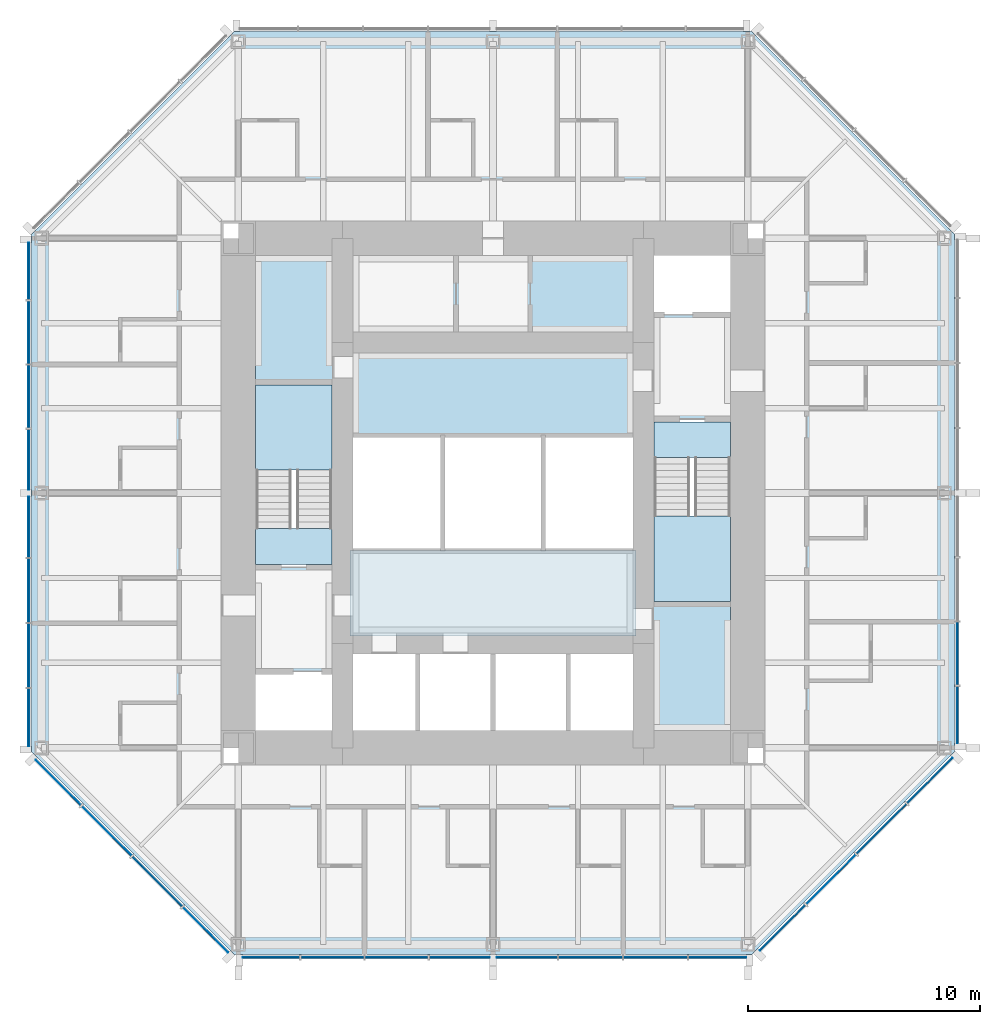
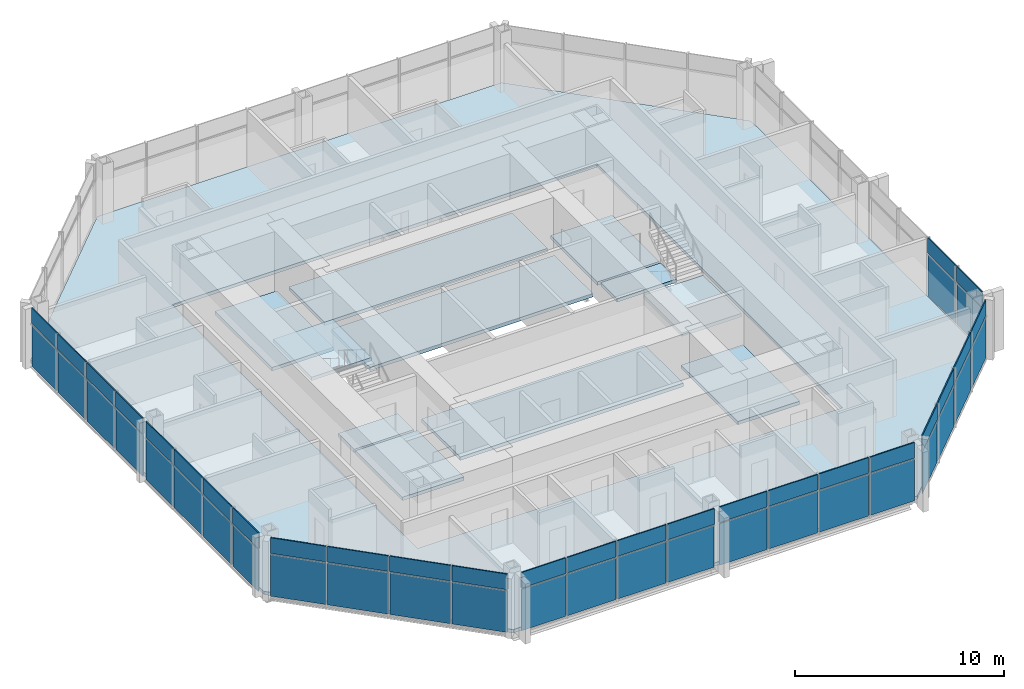
# One storey, part 6 of 12: 52 plates, 12 slabs, 7 elements without a shape of their own.
"""IFC4 building model written with IfcOpenShell, lengths in metres."""

import ifcopenshell
import ifcopenshell.guid

model = None  # the IFC model being written
_history = None  # IfcOwnerHistory: only IFC2X3 demands one
_inside = {}  # id of a spatial element -> (the spatial element, [elements in it])
_under = {}  # id of a project, library or spatial element -> (it, [spatial elements below it])
_declared = {}  # id of a project -> (the project, [libraries it declares])
_typed = {}  # id of a type object -> (the type object, [elements of that type])
_made_of = {}  # id of a material, layer set ... -> (it, [elements and type objects made of it])


def new_model(schema):
    """Start an empty IFC model of exactly this schema.

    Asked for "IFC4X3", IfcOpenShell would pick the latest addendum, in which some entities
    have other attributes; the version numbers below select the first issue.
    IFC2X3 requires an IfcOwnerHistory on every rooted entity: one is made here for all.
    """
    global model, _history
    if schema == "IFC4X3":
        model = ifcopenshell.file(schema_version=(4, 3, 0, 0))
    else:
        model = ifcopenshell.file(schema=schema)
    _inside.clear()
    _under.clear()
    _declared.clear()
    _typed.clear()
    _made_of.clear()
    _history = None
    if model.schema == "IFC2X3":
        org = make("IfcOrganization", Name="unknown")
        user = make(
            "IfcPersonAndOrganization",
            ThePerson=make("IfcPerson", FamilyName="unknown"),
            TheOrganization=org,
        )
        app = make(
            "IfcApplication",
            ApplicationDeveloper=org,
            Version="unknown",
            ApplicationFullName="unknown",
            ApplicationIdentifier="unknown",
        )
        _history = make(
            "IfcOwnerHistory",
            OwningUser=user,
            OwningApplication=app,
            ChangeAction="ADDED",
            CreationDate=0,
        )
    return model


def make(cls, **values):
    """One entity of the class cls with the attributes given. An attribute that is None is left unset."""
    return model.create_entity(
        cls, **{name: value for name, value in values.items() if value is not None}
    )


def rooted(cls, **values):
    """An entity with a GlobalId (a new one), such as an element, a storey or a relation."""
    return make(cls, GlobalId=ifcopenshell.guid.new(), OwnerHistory=_history, **values)


def si_unit(unit_type, name, prefix=None):
    """IfcSIUnit, for example si_unit("LENGTHUNIT", "METRE", prefix="MILLI")."""
    return make("IfcSIUnit", UnitType=unit_type, Prefix=prefix, Name=name)


def assignment(units):
    """IfcUnitAssignment: the units of a project."""
    return None if units is None else make("IfcUnitAssignment", Units=units)


def point(xyz):
    """IfcCartesianPoint."""
    return None if xyz is None else make("IfcCartesianPoint", Coordinates=xyz)


def direction(xyz):
    """IfcDirection."""
    return None if xyz is None else make("IfcDirection", DirectionRatios=xyz)


def frame(location, z_axis=None, x_axis=None):
    """IfcAxis2Placement3D, a coordinate frame: its origin and axes. An axis left out is left unset."""
    return make(
        "IfcAxis2Placement3D",
        Location=point(location),
        Axis=direction(z_axis),
        RefDirection=direction(x_axis),
    )


def frame_2d(location, x_axis=None):
    """IfcAxis2Placement2D, a coordinate frame in the plane: its origin and x axis."""
    return make(
        "IfcAxis2Placement2D", Location=point(location), RefDirection=direction(x_axis)
    )


def origin():
    """The frame at (0, 0, 0) with its axes left unset."""
    return frame((0.0, 0.0, 0.0))


def origin_2d():
    """The frame at (0, 0) in the plane with its x axis left unset."""
    return frame_2d((0.0, 0.0))


def place(relative_to, where):
    """IfcLocalPlacement: puts the frame where relative to a parent placement (None: the world)."""
    return make(
        "IfcLocalPlacement", PlacementRelTo=relative_to, RelativePlacement=where
    )


def context(
    kind, dimensions, precision=None, world=None, true_north=None, identifier=None
):
    """IfcGeometricRepresentationContext, for example the 3D "Model" context."""
    return make(
        "IfcGeometricRepresentationContext",
        ContextIdentifier=identifier,
        ContextType=kind,
        CoordinateSpaceDimension=dimensions,
        Precision=precision,
        WorldCoordinateSystem=world,
        TrueNorth=true_north,
    )


def subcontext(parent, identifier, kind, view, scale=None):
    """IfcGeometricRepresentationSubContext, for example "Body" below "Model"."""
    return make(
        "IfcGeometricRepresentationSubContext",
        ContextIdentifier=identifier,
        ContextType=kind,
        ParentContext=parent,
        TargetScale=scale,
        TargetView=view,
    )


def project(units=None, contexts=None):
    """IfcProject with its units and contexts."""
    return rooted(
        "IfcProject",
        Name="project",
        RepresentationContexts=contexts,
        UnitsInContext=assignment(units),
    )


def spatial(cls, under=None, at=None, **own):
    """A site, building, storey or space (cls), placed at a placement, below another one or the project."""
    s = rooted(cls, ObjectPlacement=at, **own)
    if under is not None:
        _under.setdefault(under.id(), (under, []))[1].append(s)
    return s


def polyline(points):
    """IfcPolyline through the points."""
    return make("IfcPolyline", Points=[point(p) for p in points])


def profile(cls, at=None, kind="AREA", **sizes):
    """A parametric profile (cls). Its sizes go by their IFC names, for example OverallWidth=200.0."""
    return make(cls, ProfileType=kind, Position=at, **sizes)


def rectangle(**sizes):
    """IfcRectangleProfileDef."""
    return profile("IfcRectangleProfileDef", **sizes)


def outline(outer, holes=None, kind="AREA"):
    """IfcArbitraryClosedProfileDef: a profile drawn as a closed curve; with holes, ...WithVoids."""
    if holes is None:
        return make("IfcArbitraryClosedProfileDef", ProfileType=kind, OuterCurve=outer)
    return make(
        "IfcArbitraryProfileDefWithVoids",
        ProfileType=kind,
        OuterCurve=outer,
        InnerCurves=holes,
    )


def extrude(swept, where, along, depth):
    """IfcExtrudedAreaSolid: the profile swept, set in the frame where, extruded along a direction by depth."""
    return make(
        "IfcExtrudedAreaSolid",
        SweptArea=swept,
        Position=where,
        ExtrudedDirection=direction(along),
        Depth=depth,
    )


def shape(context_of_items, identifier, shape_type, items):
    """IfcShapeRepresentation: the items that make up one representation, for example the "Body"."""
    return make(
        "IfcShapeRepresentation",
        ContextOfItems=context_of_items,
        RepresentationIdentifier=identifier,
        RepresentationType=shape_type,
        Items=items,
    )


def material(Name=None, Category=None):
    """IfcMaterial."""
    return make("IfcMaterial", Name=Name, Category=Category)


def layer(
    of_material, thickness, ventilated=None, Name=None, Category=None, Priority=None
):
    """IfcMaterialLayer: one layer of a wall or slab, of a material (None: an air gap)."""
    return make(
        "IfcMaterialLayer",
        Material=of_material,
        LayerThickness=thickness,
        IsVentilated=ventilated,
        Name=Name,
        Category=Category,
        Priority=Priority,
    )


def layer_set(layers, Name=None):
    """IfcMaterialLayerSet."""
    return make("IfcMaterialLayerSet", MaterialLayers=layers, LayerSetName=Name)


def made_of(thing, what):
    """Note that an element or type object is made of a material, layer set ...; save() writes the relation."""
    if what is not None:
        _made_of.setdefault(what.id(), (what, []))[1].append(thing)
    return thing


def type_object(cls, material=None, **own):
    """A type object (cls), such as IfcWallType, which elements share."""
    return made_of(rooted(cls, **own), material)


def element(
    cls,
    number,
    at=None,
    inside=None,
    cuts=None,
    type_object=None,
    material=None,
    context=None,
    identifier="Body",
    shape_type=None,
    held_by="IfcProductDefinitionShape",
    body=None,
    shapes=None,
    **own,
):
    """One element of the class cls, such as IfcWall. Its Tag is "e" and its number.

    at: its placement. inside: the storey or other place that contains it. cuts: it is an
    opening in that element (IfcRelVoidsElement). A single representation is given by context,
    identifier, shape_type and body (its items); several are given by shapes. held_by: the class
    of the entity that holds the representations. save() writes the other relations.
    """
    e = rooted(cls, Tag="e%d" % number, ObjectPlacement=at, **own)
    if body is not None:
        shapes = [shape(context, identifier, shape_type, body)]
    if shapes is not None:
        e.Representation = make(held_by, Representations=shapes)
    if inside is not None:
        _inside.setdefault(inside.id(), (inside, []))[1].append(e)
    if cuts is not None:
        rooted(
            "IfcRelVoidsElement", RelatingBuildingElement=cuts, RelatedOpeningElement=e
        )
    if type_object is not None:
        _typed.setdefault(type_object.id(), (type_object, []))[1].append(e)
    return made_of(e, material)


def aggregate(whole, parts):
    """IfcRelAggregates: a whole, such as a stair, and the parts it consists of."""
    return rooted("IfcRelAggregates", RelatingObject=whole, RelatedObjects=parts)


def save(model, path):
    """Write the relations noted so far, then the file.

    IfcRelAggregates (storeys below a building ...), IfcRelContainedInSpatialStructure (elements
    in a storey), IfcRelDefinesByType, IfcRelAssociatesMaterial and IfcRelDeclares: one each for
    every whole, place, type object, material and project.
    """
    for whole, parts in _under.values():
        aggregate(whole, parts)
    for where, things in _inside.values():
        rooted(
            "IfcRelContainedInSpatialStructure",
            RelatedElements=things,
            RelatingStructure=where,
        )
    for kind, things in _typed.values():
        rooted("IfcRelDefinesByType", RelatedObjects=things, RelatingType=kind)
    for what, things in _made_of.values():
        rooted("IfcRelAssociatesMaterial", RelatedObjects=things, RelatingMaterial=what)
    for by, libraries in _declared.values():
        rooted("IfcRelDeclares", RelatingContext=by, RelatedDefinitions=libraries)
    model.write(path)


model = new_model("IFC4")

# Units and contexts
model_context = context("Model", 3, precision=1e-05, world=origin(), true_north=direction((0.0, 1.0)))
body_context = subcontext(model_context, "Body", "Model", "MODEL_VIEW")
ifc_project = project(units=[si_unit("LENGTHUNIT", "METRE"), si_unit("AREAUNIT", "SQUARE_METRE"), si_unit("VOLUMEUNIT", "CUBIC_METRE"), si_unit("PLANEANGLEUNIT", "RADIAN"), si_unit("MASSUNIT", "GRAM", prefix="KILO")], contexts=[model_context])

# Site, building, storey
site_placement = place(None, origin())
site = spatial("IfcSite", under=ifc_project, at=site_placement, CompositionType="ELEMENT")
building_placement = place(site_placement, origin())
building = spatial("IfcBuilding", under=site, at=building_placement, Name="Trevanion Tower", CompositionType="ELEMENT")
storey_placement = place(building_placement, frame((0.0, 0.0, 208.199951171875)))
storey = spatial("IfcBuildingStorey", under=building, at=storey_placement, Name="L49", CompositionType="ELEMENT", Elevation=208.199951171875)

# Curtain wall, plates
ifc_material_1 = material(Name="Aluminium and glass", Category="aluminium")
curtain_wall_type = type_object("IfcCurtainWallType", Name="CW3 curtain wall", PredefinedType="USERDEFINED", material=ifc_material_1)
curtain_wall_1_placement = place(storey_placement, origin())
curtain_wall_1 = element("IfcCurtainWall", 1, at=curtain_wall_1_placement, inside=storey, type_object=curtain_wall_type, Name="CW3 L49 0", ObjectType="UNITISED CURTAIN WALL", PredefinedType="USERDEFINED")
ifc_material_2 = material(Name="Aluminium spandrel panel", Category="aluminium")
ifc_layer_1 = layer(ifc_material_2, 0.06005859375)
ifc_layer_set_1 = layer_set([ifc_layer_1], Name="CW3 spandrel panel")
plate_type_1 = type_object("IfcPlateType", Name="CW3 spandrel panel", PredefinedType="CURTAIN_PANEL", material=ifc_layer_set_1)
plate_1_placement = place(storey_placement, frame((20.050048828125, -9.579345703125, 2.3974609375), z_axis=(0.0, 0.0, 1.0), x_axis=(0.0, 1.0, 0.0)))
plate_1 = element("IfcPlate", 2, at=plate_1_placement, type_object=plate_type_1, Name="CW3 panel 1.2", PredefinedType="CURTAIN_PANEL", context=body_context, shape_type="SweptSolid", body=[
    extrude(rectangle(XDim=2.43701171875, YDim=0.06005859375, at=origin_2d()), origin(), (0.0, 0.0, 1.0), 0.91259765625),
])
plate_2_placement = place(storey_placement, frame((20.050048828125, -6.93603515625, 2.3974609375), z_axis=(0.0, 0.0, 1.0), x_axis=(0.0, 1.0, 0.0)))
plate_2 = element("IfcPlate", 3, at=plate_2_placement, type_object=plate_type_1, Name="CW3 panel 2.2", PredefinedType="CURTAIN_PANEL", context=body_context, shape_type="SweptSolid", body=[
    extrude(rectangle(XDim=2.699462890625, YDim=0.06005859375, at=origin_2d()), origin(), (0.0, 0.0, 1.0), 0.91259765625),
])

curtain_wall_2_placement = place(storey_placement, origin())
curtain_wall_2 = element("IfcCurtainWall", 4, at=curtain_wall_2_placement, inside=storey, type_object=curtain_wall_type, Name="CW3 L49 4", ObjectType="UNITISED CURTAIN WALL", PredefinedType="USERDEFINED")
plate_3_placement = place(storey_placement, frame((-20.050048828125, 9.579345703125, 2.3974609375), z_axis=(0.0, 0.0, 1.0), x_axis=(0.0, -1.0, 0.0)))
plate_3 = element("IfcPlate", 5, at=plate_3_placement, type_object=plate_type_1, Name="CW3 panel 1.2", PredefinedType="CURTAIN_PANEL", context=body_context, shape_type="SweptSolid", body=[
    extrude(rectangle(XDim=2.43701171875, YDim=0.06005859375, at=origin_2d()), origin(), (0.0, 0.0, 1.0), 0.91259765625),
])
plate_4_placement = place(storey_placement, frame((-20.050048828125, 6.93603515625, 2.3974609375), z_axis=(0.0, 0.0, 1.0), x_axis=(0.0, -1.0, 0.0)))
plate_4 = element("IfcPlate", 6, at=plate_4_placement, type_object=plate_type_1, Name="CW3 panel 2.2", PredefinedType="CURTAIN_PANEL", context=body_context, shape_type="SweptSolid", body=[
    extrude(rectangle(XDim=2.699462890625, YDim=0.06005859375, at=origin_2d()), origin(), (0.0, 0.0, 1.0), 0.91259765625),
])
plate_5_placement = place(storey_placement, frame((-20.050048828125, 4.16162109375, 2.3974609375), z_axis=(0.0, 0.0, 1.0), x_axis=(0.0, -1.0, 0.0)))
plate_5 = element("IfcPlate", 7, at=plate_5_placement, type_object=plate_type_1, Name="CW3 panel 3.2", PredefinedType="CURTAIN_PANEL", context=body_context, shape_type="SweptSolid", body=[
    extrude(rectangle(XDim=2.699462890625, YDim=0.06005859375, at=origin_2d()), origin(), (0.0, 0.0, 1.0), 0.91259765625),
])
plate_6_placement = place(storey_placement, frame((-20.050048828125, 1.443603515625, 2.3974609375), z_axis=(0.0, 0.0, 1.0), x_axis=(0.0, -1.0, 0.0)))
plate_6 = element("IfcPlate", 8, at=plate_6_placement, type_object=plate_type_1, Name="CW3 panel 4.2", PredefinedType="CURTAIN_PANEL", context=body_context, shape_type="SweptSolid", body=[
    extrude(rectangle(XDim=2.5869140625, YDim=0.06005859375, at=origin_2d()), origin(), (0.0, 0.0, 1.0), 0.91259765625),
])
plate_7_placement = place(storey_placement, frame((-20.050048828125, -1.459716796875, 2.3974609375), z_axis=(0.0, 0.0, 1.0), x_axis=(0.0, -1.0, 0.0)))
plate_7 = element("IfcPlate", 9, at=plate_7_placement, type_object=plate_type_1, Name="CW3 panel 5.2", PredefinedType="CURTAIN_PANEL", context=body_context, shape_type="SweptSolid", body=[
    extrude(rectangle(XDim=2.619384765625, YDim=0.06005859375, at=origin_2d()), origin(), (0.0, 0.0, 1.0), 0.91259765625),
])
plate_8_placement = place(storey_placement, frame((-20.050048828125, -4.21044921875, 2.3974609375), z_axis=(0.0, 0.0, 1.0), x_axis=(0.0, -1.0, 0.0)))
plate_8 = element("IfcPlate", 10, at=plate_8_placement, type_object=plate_type_1, Name="CW3 panel 6.2", PredefinedType="CURTAIN_PANEL", context=body_context, shape_type="SweptSolid", body=[
    extrude(rectangle(XDim=2.73193359375, YDim=0.06005859375, at=origin_2d()), origin(), (0.0, 0.0, 1.0), 0.91259765625),
])
plate_9_placement = place(storey_placement, frame((-20.050048828125, -7.017333984375, 2.3974609375), z_axis=(0.0, 0.0, 1.0), x_axis=(0.0, -1.0, 0.0)))
plate_9 = element("IfcPlate", 11, at=plate_9_placement, type_object=plate_type_1, Name="CW3 panel 7.2", PredefinedType="CURTAIN_PANEL", context=body_context, shape_type="SweptSolid", body=[
    extrude(rectangle(XDim=2.73193359375, YDim=0.06005859375, at=origin_2d()), origin(), (0.0, 0.0, 1.0), 0.91259765625),
])
plate_10_placement = place(storey_placement, frame((-20.050048828125, -9.693115234375, 2.3974609375), z_axis=(0.0, 0.0, 1.0), x_axis=(0.0, -1.0, 0.0)))
plate_10 = element("IfcPlate", 12, at=plate_10_placement, type_object=plate_type_1, Name="CW3 panel 8.2", PredefinedType="CURTAIN_PANEL", context=body_context, shape_type="SweptSolid", body=[
    extrude(rectangle(XDim=2.469482421875, YDim=0.06005859375, at=origin_2d()), origin(), (0.0, 0.0, 1.0), 0.91259765625),
])

curtain_wall_3_placement = place(storey_placement, origin())
curtain_wall_3 = element("IfcCurtainWall", 13, at=curtain_wall_3_placement, inside=storey, type_object=curtain_wall_type, Name="CW3 L49 5", ObjectType="UNITISED CURTAIN WALL", PredefinedType="USERDEFINED")
plate_11_placement = place(storey_placement, frame((-18.77392578125, -12.50390625, 2.3974609375), z_axis=(0.0, 0.0, 1.0), x_axis=(0.707106781187, -0.707106781187, 0.0)))
plate_11 = element("IfcPlate", 14, at=plate_11_placement, type_object=plate_type_1, Name="CW3 panel 1.2", PredefinedType="CURTAIN_PANEL", context=body_context, shape_type="SweptSolid", body=[
    extrude(rectangle(XDim=2.7490234375, YDim=0.06005859375, at=origin_2d()), origin(), (0.0, 0.0, 1.0), 0.91259765625),
])
plate_12_placement = place(storey_placement, frame((-16.68408203125, -14.593505859375, 2.3974609375), z_axis=(0.0, 0.0, 1.0), x_axis=(0.707106781187, -0.707106781187, 0.0)))
plate_12 = element("IfcPlate", 15, at=plate_12_placement, type_object=plate_type_1, Name="CW3 panel 2.2", PredefinedType="CURTAIN_PANEL", context=body_context, shape_type="SweptSolid", body=[
    extrude(rectangle(XDim=3.01171875, YDim=0.06005859375, at=origin_2d()), origin(), (0.0, 0.0, 1.0), 0.91259765625),
])
plate_13_placement = place(storey_placement, frame((-14.501708984375, -16.776123046875, 2.3974609375), z_axis=(0.0, 0.0, 1.0), x_axis=(0.707106781187, -0.707106781187, 0.0)))
plate_13 = element("IfcPlate", 16, at=plate_13_placement, type_object=plate_type_1, Name="CW3 panel 3.2", PredefinedType="CURTAIN_PANEL", context=body_context, shape_type="SweptSolid", body=[
    extrude(rectangle(XDim=3.01171875, YDim=0.06005859375, at=origin_2d()), origin(), (0.0, 0.0, 1.0), 0.91259765625),
])
plate_14_placement = place(storey_placement, frame((-12.411865234375, -18.865966796875, 2.3974609375), z_axis=(0.0, 0.0, 1.0), x_axis=(0.707106781187, -0.707106781187, 0.0)))
plate_14 = element("IfcPlate", 17, at=plate_14_placement, type_object=plate_type_1, Name="CW3 panel 4.2", PredefinedType="CURTAIN_PANEL", context=body_context, shape_type="SweptSolid", body=[
    extrude(rectangle(XDim=2.7490234375, YDim=0.06005859375, at=origin_2d()), origin(), (0.0, 0.0, 1.0), 0.91259765625),
])

curtain_wall_4_placement = place(storey_placement, origin())
curtain_wall_4 = element("IfcCurtainWall", 18, at=curtain_wall_4_placement, inside=storey, type_object=curtain_wall_type, Name="CW3 L49 6", ObjectType="UNITISED CURTAIN WALL", PredefinedType="USERDEFINED")
plate_15_placement = place(storey_placement, frame((-9.579345703125, -20.050048828125, 2.3974609375), z_axis=(0.0, 0.0, 1.0), x_axis=(1.0, 0.0, 0.0)))
plate_15 = element("IfcPlate", 19, at=plate_15_placement, type_object=plate_type_1, Name="CW3 panel 1.2", PredefinedType="CURTAIN_PANEL", context=body_context, shape_type="SweptSolid", body=[
    extrude(rectangle(XDim=2.43701171875, YDim=0.06005859375, at=origin_2d()), origin(), (0.0, 0.0, 1.0), 0.91259765625),
])
plate_16_placement = place(storey_placement, frame((-6.93603515625, -20.050048828125, 2.3974609375), z_axis=(0.0, 0.0, 1.0), x_axis=(1.0, 0.0, 0.0)))
plate_16 = element("IfcPlate", 20, at=plate_16_placement, type_object=plate_type_1, Name="CW3 panel 2.2", PredefinedType="CURTAIN_PANEL", context=body_context, shape_type="SweptSolid", body=[
    extrude(rectangle(XDim=2.699462890625, YDim=0.06005859375, at=origin_2d()), origin(), (0.0, 0.0, 1.0), 0.91259765625),
])
plate_17_placement = place(storey_placement, frame((-4.16162109375, -20.050048828125, 2.3974609375), z_axis=(0.0, 0.0, 1.0), x_axis=(1.0, 0.0, 0.0)))
plate_17 = element("IfcPlate", 21, at=plate_17_placement, type_object=plate_type_1, Name="CW3 panel 3.2", PredefinedType="CURTAIN_PANEL", context=body_context, shape_type="SweptSolid", body=[
    extrude(rectangle(XDim=2.699462890625, YDim=0.06005859375, at=origin_2d()), origin(), (0.0, 0.0, 1.0), 0.91259765625),
])
plate_18_placement = place(storey_placement, frame((-1.443603515625, -20.050048828125, 2.3974609375), z_axis=(0.0, 0.0, 1.0), x_axis=(1.0, 0.0, 0.0)))
plate_18 = element("IfcPlate", 22, at=plate_18_placement, type_object=plate_type_1, Name="CW3 panel 4.2", PredefinedType="CURTAIN_PANEL", context=body_context, shape_type="SweptSolid", body=[
    extrude(rectangle(XDim=2.5869140625, YDim=0.06005859375, at=origin_2d()), origin(), (0.0, 0.0, 1.0), 0.91259765625),
])
plate_19_placement = place(storey_placement, frame((1.459716796875, -20.050048828125, 2.3974609375), z_axis=(0.0, 0.0, 1.0), x_axis=(1.0, 0.0, 0.0)))
plate_19 = element("IfcPlate", 23, at=plate_19_placement, type_object=plate_type_1, Name="CW3 panel 5.2", PredefinedType="CURTAIN_PANEL", context=body_context, shape_type="SweptSolid", body=[
    extrude(rectangle(XDim=2.619384765625, YDim=0.06005859375, at=origin_2d()), origin(), (0.0, 0.0, 1.0), 0.91259765625),
])
plate_20_placement = place(storey_placement, frame((4.21044921875, -20.050048828125, 2.3974609375), z_axis=(0.0, 0.0, 1.0), x_axis=(1.0, 0.0, 0.0)))
plate_20 = element("IfcPlate", 24, at=plate_20_placement, type_object=plate_type_1, Name="CW3 panel 6.2", PredefinedType="CURTAIN_PANEL", context=body_context, shape_type="SweptSolid", body=[
    extrude(rectangle(XDim=2.73193359375, YDim=0.06005859375, at=origin_2d()), origin(), (0.0, 0.0, 1.0), 0.91259765625),
])
plate_21_placement = place(storey_placement, frame((7.017333984375, -20.050048828125, 2.3974609375), z_axis=(0.0, 0.0, 1.0), x_axis=(1.0, 0.0, 0.0)))
plate_21 = element("IfcPlate", 25, at=plate_21_placement, type_object=plate_type_1, Name="CW3 panel 7.2", PredefinedType="CURTAIN_PANEL", context=body_context, shape_type="SweptSolid", body=[
    extrude(rectangle(XDim=2.73193359375, YDim=0.06005859375, at=origin_2d()), origin(), (0.0, 0.0, 1.0), 0.91259765625),
])
plate_22_placement = place(storey_placement, frame((9.693115234375, -20.050048828125, 2.3974609375), z_axis=(0.0, 0.0, 1.0), x_axis=(1.0, 0.0, 0.0)))
plate_22 = element("IfcPlate", 26, at=plate_22_placement, type_object=plate_type_1, Name="CW3 panel 8.2", PredefinedType="CURTAIN_PANEL", context=body_context, shape_type="SweptSolid", body=[
    extrude(rectangle(XDim=2.469482421875, YDim=0.06005859375, at=origin_2d()), origin(), (0.0, 0.0, 1.0), 0.91259765625),
])

curtain_wall_5_placement = place(storey_placement, origin())
curtain_wall_5 = element("IfcCurtainWall", 27, at=curtain_wall_5_placement, inside=storey, type_object=curtain_wall_type, Name="CW3 L49 7", ObjectType="UNITISED CURTAIN WALL", PredefinedType="USERDEFINED")
plate_23_placement = place(storey_placement, frame((12.50390625, -18.77392578125, 2.3974609375), z_axis=(0.0, 0.0, 1.0), x_axis=(0.707106781187, 0.707106781187, 0.0)))
plate_23 = element("IfcPlate", 28, at=plate_23_placement, type_object=plate_type_1, Name="CW3 panel 1.2", PredefinedType="CURTAIN_PANEL", context=body_context, shape_type="SweptSolid", body=[
    extrude(rectangle(XDim=2.7490234375, YDim=0.06005859375, at=origin_2d()), origin(), (0.0, 0.0, 1.0), 0.91259765625),
])
plate_24_placement = place(storey_placement, frame((14.593505859375, -16.68408203125, 2.3974609375), z_axis=(0.0, 0.0, 1.0), x_axis=(0.707106781187, 0.707106781187, 0.0)))
plate_24 = element("IfcPlate", 29, at=plate_24_placement, type_object=plate_type_1, Name="CW3 panel 2.2", PredefinedType="CURTAIN_PANEL", context=body_context, shape_type="SweptSolid", body=[
    extrude(rectangle(XDim=3.01171875, YDim=0.06005859375, at=origin_2d()), origin(), (0.0, 0.0, 1.0), 0.91259765625),
])
plate_25_placement = place(storey_placement, frame((16.776123046875, -14.501708984375, 2.3974609375), z_axis=(0.0, 0.0, 1.0), x_axis=(0.707106781187, 0.707106781187, 0.0)))
plate_25 = element("IfcPlate", 30, at=plate_25_placement, type_object=plate_type_1, Name="CW3 panel 3.2", PredefinedType="CURTAIN_PANEL", context=body_context, shape_type="SweptSolid", body=[
    extrude(rectangle(XDim=3.01171875, YDim=0.06005859375, at=origin_2d()), origin(), (0.0, 0.0, 1.0), 0.91259765625),
])
plate_26_placement = place(storey_placement, frame((18.865966796875, -12.411865234375, 2.3974609375), z_axis=(0.0, 0.0, 1.0), x_axis=(0.707106781187, 0.707106781187, 0.0)))
plate_26 = element("IfcPlate", 31, at=plate_26_placement, type_object=plate_type_1, Name="CW3 panel 4.2", PredefinedType="CURTAIN_PANEL", context=body_context, shape_type="SweptSolid", body=[
    extrude(rectangle(XDim=2.7490234375, YDim=0.06005859375, at=origin_2d()), origin(), (0.0, 0.0, 1.0), 0.91259765625),
])

# Plate
ifc_material_3 = material(Name="Insulating glass unit", Category="glass")
ifc_layer_2 = layer(ifc_material_3, 0.028076171875)
ifc_layer_set_2 = layer_set([ifc_layer_2], Name="CW3 vision panel")
plate_type_2 = type_object("IfcPlateType", Name="CW3 vision panel", PredefinedType="CURTAIN_PANEL", material=ifc_layer_set_2)
plate_27_placement = place(storey_placement, frame((20.050048828125, -9.579345703125, -0.114990234375), z_axis=(0.0, 0.0, 1.0), x_axis=(0.0, 1.0, 0.0)))
plate_27 = element("IfcPlate", 32, at=plate_27_placement, type_object=plate_type_2, Name="CW3 panel 1.1", PredefinedType="CURTAIN_PANEL", context=body_context, shape_type="SweptSolid", body=[
    extrude(rectangle(XDim=2.43701171875, YDim=0.028076171875, at=origin_2d()), origin(), (0.0, 0.0, 1.0), 2.4375),
])

plate_28_placement = place(storey_placement, frame((20.050048828125, -6.93603515625, -0.114990234375), z_axis=(0.0, 0.0, 1.0), x_axis=(0.0, 1.0, 0.0)))
plate_28 = element("IfcPlate", 33, at=plate_28_placement, type_object=plate_type_2, Name="CW3 panel 2.1", PredefinedType="CURTAIN_PANEL", context=body_context, shape_type="SweptSolid", body=[
    extrude(rectangle(XDim=2.699462890625, YDim=0.028076171875, at=origin_2d()), origin(), (0.0, 0.0, 1.0), 2.4375),
])

aggregate(curtain_wall_1, [plate_27, plate_1, plate_28, plate_2])

plate_29_placement = place(storey_placement, frame((-20.050048828125, 9.579345703125, -0.114990234375), z_axis=(0.0, 0.0, 1.0), x_axis=(0.0, -1.0, 0.0)))
plate_29 = element("IfcPlate", 34, at=plate_29_placement, type_object=plate_type_2, Name="CW3 panel 1.1", PredefinedType="CURTAIN_PANEL", context=body_context, shape_type="SweptSolid", body=[
    extrude(rectangle(XDim=2.43701171875, YDim=0.028076171875, at=origin_2d()), origin(), (0.0, 0.0, 1.0), 2.4375),
])

plate_30_placement = place(storey_placement, frame((-20.050048828125, 6.93603515625, -0.114990234375), z_axis=(0.0, 0.0, 1.0), x_axis=(0.0, -1.0, 0.0)))
plate_30 = element("IfcPlate", 35, at=plate_30_placement, type_object=plate_type_2, Name="CW3 panel 2.1", PredefinedType="CURTAIN_PANEL", context=body_context, shape_type="SweptSolid", body=[
    extrude(rectangle(XDim=2.699462890625, YDim=0.028076171875, at=origin_2d()), origin(), (0.0, 0.0, 1.0), 2.4375),
])

plate_31_placement = place(storey_placement, frame((-20.050048828125, 4.16162109375, -0.114990234375), z_axis=(0.0, 0.0, 1.0), x_axis=(0.0, -1.0, 0.0)))
plate_31 = element("IfcPlate", 36, at=plate_31_placement, type_object=plate_type_2, Name="CW3 panel 3.1", PredefinedType="CURTAIN_PANEL", context=body_context, shape_type="SweptSolid", body=[
    extrude(rectangle(XDim=2.699462890625, YDim=0.028076171875, at=origin_2d()), origin(), (0.0, 0.0, 1.0), 2.4375),
])

plate_32_placement = place(storey_placement, frame((-20.050048828125, 1.443603515625, -0.114990234375), z_axis=(0.0, 0.0, 1.0), x_axis=(0.0, -1.0, 0.0)))
plate_32 = element("IfcPlate", 37, at=plate_32_placement, type_object=plate_type_2, Name="CW3 panel 4.1", PredefinedType="CURTAIN_PANEL", context=body_context, shape_type="SweptSolid", body=[
    extrude(rectangle(XDim=2.5869140625, YDim=0.028076171875, at=origin_2d()), origin(), (0.0, 0.0, 1.0), 2.4375),
])

plate_33_placement = place(storey_placement, frame((-20.050048828125, -1.459716796875, -0.114990234375), z_axis=(0.0, 0.0, 1.0), x_axis=(0.0, -1.0, 0.0)))
plate_33 = element("IfcPlate", 38, at=plate_33_placement, type_object=plate_type_2, Name="CW3 panel 5.1", PredefinedType="CURTAIN_PANEL", context=body_context, shape_type="SweptSolid", body=[
    extrude(rectangle(XDim=2.619384765625, YDim=0.028076171875, at=origin_2d()), origin(), (0.0, 0.0, 1.0), 2.4375),
])

plate_34_placement = place(storey_placement, frame((-20.050048828125, -4.21044921875, -0.114990234375), z_axis=(0.0, 0.0, 1.0), x_axis=(0.0, -1.0, 0.0)))
plate_34 = element("IfcPlate", 39, at=plate_34_placement, type_object=plate_type_2, Name="CW3 panel 6.1", PredefinedType="CURTAIN_PANEL", context=body_context, shape_type="SweptSolid", body=[
    extrude(rectangle(XDim=2.73193359375, YDim=0.028076171875, at=origin_2d()), origin(), (0.0, 0.0, 1.0), 2.4375),
])

plate_35_placement = place(storey_placement, frame((-20.050048828125, -7.017333984375, -0.114990234375), z_axis=(0.0, 0.0, 1.0), x_axis=(0.0, -1.0, 0.0)))
plate_35 = element("IfcPlate", 40, at=plate_35_placement, type_object=plate_type_2, Name="CW3 panel 7.1", PredefinedType="CURTAIN_PANEL", context=body_context, shape_type="SweptSolid", body=[
    extrude(rectangle(XDim=2.73193359375, YDim=0.028076171875, at=origin_2d()), origin(), (0.0, 0.0, 1.0), 2.4375),
])

plate_36_placement = place(storey_placement, frame((-20.050048828125, -9.693115234375, -0.114990234375), z_axis=(0.0, 0.0, 1.0), x_axis=(0.0, -1.0, 0.0)))
plate_36 = element("IfcPlate", 41, at=plate_36_placement, type_object=plate_type_2, Name="CW3 panel 8.1", PredefinedType="CURTAIN_PANEL", context=body_context, shape_type="SweptSolid", body=[
    extrude(rectangle(XDim=2.469482421875, YDim=0.028076171875, at=origin_2d()), origin(), (0.0, 0.0, 1.0), 2.4375),
])

aggregate(curtain_wall_2, [plate_29, plate_3, plate_30, plate_4, plate_31, plate_5, plate_32, plate_6, plate_33, plate_7, plate_34, plate_8, plate_35, plate_9, plate_36, plate_10])

plate_37_placement = place(storey_placement, frame((-18.77392578125, -12.50390625, -0.114990234375), z_axis=(0.0, 0.0, 1.0), x_axis=(0.707106781187, -0.707106781187, 0.0)))
plate_37 = element("IfcPlate", 42, at=plate_37_placement, type_object=plate_type_2, Name="CW3 panel 1.1", PredefinedType="CURTAIN_PANEL", context=body_context, shape_type="SweptSolid", body=[
    extrude(rectangle(XDim=2.7490234375, YDim=0.028076171875, at=origin_2d()), origin(), (0.0, 0.0, 1.0), 2.4375),
])

plate_38_placement = place(storey_placement, frame((-16.68408203125, -14.593505859375, -0.114990234375), z_axis=(0.0, 0.0, 1.0), x_axis=(0.707106781187, -0.707106781187, 0.0)))
plate_38 = element("IfcPlate", 43, at=plate_38_placement, type_object=plate_type_2, Name="CW3 panel 2.1", PredefinedType="CURTAIN_PANEL", context=body_context, shape_type="SweptSolid", body=[
    extrude(rectangle(XDim=3.01171875, YDim=0.028076171875, at=origin_2d()), origin(), (0.0, 0.0, 1.0), 2.4375),
])

plate_39_placement = place(storey_placement, frame((-14.501708984375, -16.776123046875, -0.114990234375), z_axis=(0.0, 0.0, 1.0), x_axis=(0.707106781187, -0.707106781187, 0.0)))
plate_39 = element("IfcPlate", 44, at=plate_39_placement, type_object=plate_type_2, Name="CW3 panel 3.1", PredefinedType="CURTAIN_PANEL", context=body_context, shape_type="SweptSolid", body=[
    extrude(rectangle(XDim=3.01171875, YDim=0.028076171875, at=origin_2d()), origin(), (0.0, 0.0, 1.0), 2.4375),
])

plate_40_placement = place(storey_placement, frame((-12.411865234375, -18.865966796875, -0.114990234375), z_axis=(0.0, 0.0, 1.0), x_axis=(0.707106781187, -0.707106781187, 0.0)))
plate_40 = element("IfcPlate", 45, at=plate_40_placement, type_object=plate_type_2, Name="CW3 panel 4.1", PredefinedType="CURTAIN_PANEL", context=body_context, shape_type="SweptSolid", body=[
    extrude(rectangle(XDim=2.7490234375, YDim=0.028076171875, at=origin_2d()), origin(), (0.0, 0.0, 1.0), 2.4375),
])

aggregate(curtain_wall_3, [plate_37, plate_11, plate_38, plate_12, plate_39, plate_13, plate_40, plate_14])

plate_41_placement = place(storey_placement, frame((-9.579345703125, -20.050048828125, -0.114990234375), z_axis=(0.0, 0.0, 1.0), x_axis=(1.0, 0.0, 0.0)))
plate_41 = element("IfcPlate", 46, at=plate_41_placement, type_object=plate_type_2, Name="CW3 panel 1.1", PredefinedType="CURTAIN_PANEL", context=body_context, shape_type="SweptSolid", body=[
    extrude(rectangle(XDim=2.43701171875, YDim=0.028076171875, at=origin_2d()), origin(), (0.0, 0.0, 1.0), 2.4375),
])

plate_42_placement = place(storey_placement, frame((-6.93603515625, -20.050048828125, -0.114990234375), z_axis=(0.0, 0.0, 1.0), x_axis=(1.0, 0.0, 0.0)))
plate_42 = element("IfcPlate", 47, at=plate_42_placement, type_object=plate_type_2, Name="CW3 panel 2.1", PredefinedType="CURTAIN_PANEL", context=body_context, shape_type="SweptSolid", body=[
    extrude(rectangle(XDim=2.699462890625, YDim=0.028076171875, at=origin_2d()), origin(), (0.0, 0.0, 1.0), 2.4375),
])

plate_43_placement = place(storey_placement, frame((-4.16162109375, -20.050048828125, -0.114990234375), z_axis=(0.0, 0.0, 1.0), x_axis=(1.0, 0.0, 0.0)))
plate_43 = element("IfcPlate", 48, at=plate_43_placement, type_object=plate_type_2, Name="CW3 panel 3.1", PredefinedType="CURTAIN_PANEL", context=body_context, shape_type="SweptSolid", body=[
    extrude(rectangle(XDim=2.699462890625, YDim=0.028076171875, at=origin_2d()), origin(), (0.0, 0.0, 1.0), 2.4375),
])

plate_44_placement = place(storey_placement, frame((-1.443603515625, -20.050048828125, -0.114990234375), z_axis=(0.0, 0.0, 1.0), x_axis=(1.0, 0.0, 0.0)))
plate_44 = element("IfcPlate", 49, at=plate_44_placement, type_object=plate_type_2, Name="CW3 panel 4.1", PredefinedType="CURTAIN_PANEL", context=body_context, shape_type="SweptSolid", body=[
    extrude(rectangle(XDim=2.5869140625, YDim=0.028076171875, at=origin_2d()), origin(), (0.0, 0.0, 1.0), 2.4375),
])

plate_45_placement = place(storey_placement, frame((1.459716796875, -20.050048828125, -0.114990234375), z_axis=(0.0, 0.0, 1.0), x_axis=(1.0, 0.0, 0.0)))
plate_45 = element("IfcPlate", 50, at=plate_45_placement, type_object=plate_type_2, Name="CW3 panel 5.1", PredefinedType="CURTAIN_PANEL", context=body_context, shape_type="SweptSolid", body=[
    extrude(rectangle(XDim=2.619384765625, YDim=0.028076171875, at=origin_2d()), origin(), (0.0, 0.0, 1.0), 2.4375),
])

plate_46_placement = place(storey_placement, frame((4.21044921875, -20.050048828125, -0.114990234375), z_axis=(0.0, 0.0, 1.0), x_axis=(1.0, 0.0, 0.0)))
plate_46 = element("IfcPlate", 51, at=plate_46_placement, type_object=plate_type_2, Name="CW3 panel 6.1", PredefinedType="CURTAIN_PANEL", context=body_context, shape_type="SweptSolid", body=[
    extrude(rectangle(XDim=2.73193359375, YDim=0.028076171875, at=origin_2d()), origin(), (0.0, 0.0, 1.0), 2.4375),
])

plate_47_placement = place(storey_placement, frame((7.017333984375, -20.050048828125, -0.114990234375), z_axis=(0.0, 0.0, 1.0), x_axis=(1.0, 0.0, 0.0)))
plate_47 = element("IfcPlate", 52, at=plate_47_placement, type_object=plate_type_2, Name="CW3 panel 7.1", PredefinedType="CURTAIN_PANEL", context=body_context, shape_type="SweptSolid", body=[
    extrude(rectangle(XDim=2.73193359375, YDim=0.028076171875, at=origin_2d()), origin(), (0.0, 0.0, 1.0), 2.4375),
])

plate_48_placement = place(storey_placement, frame((9.693115234375, -20.050048828125, -0.114990234375), z_axis=(0.0, 0.0, 1.0), x_axis=(1.0, 0.0, 0.0)))
plate_48 = element("IfcPlate", 53, at=plate_48_placement, type_object=plate_type_2, Name="CW3 panel 8.1", PredefinedType="CURTAIN_PANEL", context=body_context, shape_type="SweptSolid", body=[
    extrude(rectangle(XDim=2.469482421875, YDim=0.028076171875, at=origin_2d()), origin(), (0.0, 0.0, 1.0), 2.4375),
])

aggregate(curtain_wall_4, [plate_41, plate_15, plate_42, plate_16, plate_43, plate_17, plate_44, plate_18, plate_45, plate_19, plate_46, plate_20, plate_47, plate_21, plate_48, plate_22])

plate_49_placement = place(storey_placement, frame((12.50390625, -18.77392578125, -0.114990234375), z_axis=(0.0, 0.0, 1.0), x_axis=(0.707106781187, 0.707106781187, 0.0)))
plate_49 = element("IfcPlate", 54, at=plate_49_placement, type_object=plate_type_2, Name="CW3 panel 1.1", PredefinedType="CURTAIN_PANEL", context=body_context, shape_type="SweptSolid", body=[
    extrude(rectangle(XDim=2.7490234375, YDim=0.028076171875, at=origin_2d()), origin(), (0.0, 0.0, 1.0), 2.4375),
])

plate_50_placement = place(storey_placement, frame((14.593505859375, -16.68408203125, -0.114990234375), z_axis=(0.0, 0.0, 1.0), x_axis=(0.707106781187, 0.707106781187, 0.0)))
plate_50 = element("IfcPlate", 55, at=plate_50_placement, type_object=plate_type_2, Name="CW3 panel 2.1", PredefinedType="CURTAIN_PANEL", context=body_context, shape_type="SweptSolid", body=[
    extrude(rectangle(XDim=3.01171875, YDim=0.028076171875, at=origin_2d()), origin(), (0.0, 0.0, 1.0), 2.4375),
])

plate_51_placement = place(storey_placement, frame((16.776123046875, -14.501708984375, -0.114990234375), z_axis=(0.0, 0.0, 1.0), x_axis=(0.707106781187, 0.707106781187, 0.0)))
plate_51 = element("IfcPlate", 56, at=plate_51_placement, type_object=plate_type_2, Name="CW3 panel 3.1", PredefinedType="CURTAIN_PANEL", context=body_context, shape_type="SweptSolid", body=[
    extrude(rectangle(XDim=3.01171875, YDim=0.028076171875, at=origin_2d()), origin(), (0.0, 0.0, 1.0), 2.4375),
])

plate_52_placement = place(storey_placement, frame((18.865966796875, -12.411865234375, -0.114990234375), z_axis=(0.0, 0.0, 1.0), x_axis=(0.707106781187, 0.707106781187, 0.0)))
plate_52 = element("IfcPlate", 57, at=plate_52_placement, type_object=plate_type_2, Name="CW3 panel 4.1", PredefinedType="CURTAIN_PANEL", context=body_context, shape_type="SweptSolid", body=[
    extrude(rectangle(XDim=2.7490234375, YDim=0.028076171875, at=origin_2d()), origin(), (0.0, 0.0, 1.0), 2.4375),
])

aggregate(curtain_wall_5, [plate_49, plate_23, plate_50, plate_24, plate_51, plate_25, plate_52, plate_26])

# Slabs
ifc_material_4 = material(Name="Concrete 5,000 psi on composite metal deck", Category="concrete")
ifc_layer_3 = layer(ifc_material_4, 0.18994140625)
ifc_layer_set_3 = layer_set([ifc_layer_3], Name="SL1 composite floor 190")
slab_type_1 = type_object("IfcSlabType", Name="SL1 composite floor 190", PredefinedType="FLOOR", material=ifc_layer_set_3)
slab_1_placement = place(storey_placement, frame((0.0, 0.0, -0.18994140625)))
element("IfcSlab", 58, at=slab_1_placement, inside=storey, type_object=slab_type_1, Name="SL1 L49 floor", PredefinedType="FLOOR", context=body_context, shape_type="SweptSolid", body=[
    extrude(outline(polyline([(19.919921875, -11.174072265625), (19.919921875, 11.174072265625), (11.174072265625, 19.919921875), (-11.174072265625, 19.919921875), (-19.919921875, 11.174072265625), (-19.919921875, -11.174072265625), (-11.174072265625, -19.919921875), (11.174072265625, -19.919921875), (19.919921875, -11.174072265625)]), holes=[polyline([(11.75, -11.75), (11.75, 11.75), (-11.75, 11.75), (-11.75, -11.75), (11.75, -11.75)])]), origin(), (0.0, 0.0, 1.0), 0.18994140625),
])
ifc_material_5 = material(Name="Concrete 5,000 psi", Category="concrete")
ifc_layer_4 = layer(ifc_material_5, 0.199951171875)
ifc_layer_set_4 = layer_set([ifc_layer_4], Name="SL2 core floor 200")
slab_type_2 = type_object("IfcSlabType", Name="SL2 core floor 200", PredefinedType="FLOOR", material=ifc_layer_set_4)
slab_2_placement = place(storey_placement, frame((0.0, 0.0, -0.199951171875)))
element("IfcSlab", 59, at=slab_2_placement, inside=storey, type_object=slab_type_2, Name="SL2 L49 core floor 1", PredefinedType="FLOOR", context=body_context, shape_type="SweptSolid", body=[
    extrude(outline(polyline([(10.25, -4.804931640625), (10.25, -10.25), (6.830078125, -10.25), (6.830078125, -4.804931640625), (10.25, -4.804931640625)])), origin(), (0.0, 0.0, 1.0), 0.199951171875),
])
slab_3_placement = place(storey_placement, frame((0.0, 0.0, -0.199951171875)))
element("IfcSlab", 60, at=slab_3_placement, inside=storey, type_object=slab_type_2, Name="SL2 L49 core floor 2", PredefinedType="FLOOR", context=body_context, shape_type="SweptSolid", body=[
    extrude(outline(polyline([(-6.830078125, -3.205078125), (-6.830078125, -7.695068359375), (-10.25, -7.695068359375), (-10.25, -3.205078125), (-6.830078125, -3.205078125)])), origin(), (0.0, 0.0, 1.0), 0.199951171875),
])
slab_4_placement = place(storey_placement, frame((0.0, 0.0, -0.199951171875)))
element("IfcSlab", 61, at=slab_4_placement, inside=storey, type_object=slab_type_2, Name="SL2 L49 core floor 3", PredefinedType="FLOOR", context=body_context, shape_type="SweptSolid", body=[
    extrude(outline(polyline([(6.169921875, -6.169921875), (-6.169921875, -6.169921875), (-6.169921875, -2.47998046875), (6.169921875, -2.47998046875), (6.169921875, -6.169921875)])), origin(), (0.0, 0.0, 1.0), 0.199951171875),
])
slab_5_placement = place(storey_placement, frame((0.0, 0.0, -0.199951171875)))
element("IfcSlab", 62, at=slab_5_placement, inside=storey, type_object=slab_type_2, Name="SL2 L49 core floor 4", PredefinedType="FLOOR", context=body_context, shape_type="SweptSolid", body=[
    extrude(outline(polyline([(6.169921875, 2.47998046875), (-6.169921875, 2.47998046875), (-6.169921875, 6.169921875), (6.169921875, 6.169921875), (6.169921875, 2.47998046875)])), origin(), (0.0, 0.0, 1.0), 0.199951171875),
])
slab_6_placement = place(storey_placement, frame((0.0, 0.0, -0.199951171875)))
element("IfcSlab", 63, at=slab_6_placement, inside=storey, type_object=slab_type_2, Name="SL2 L49 core floor 5", PredefinedType="FLOOR", context=body_context, shape_type="SweptSolid", body=[
    extrude(outline(polyline([(6.830078125, 3.205078125), (6.830078125, 7.695068359375), (10.25, 7.695068359375), (10.25, 3.205078125), (6.830078125, 3.205078125)])), origin(), (0.0, 0.0, 1.0), 0.199951171875),
])
slab_7_placement = place(storey_placement, frame((0.0, 0.0, -0.199951171875)))
element("IfcSlab", 64, at=slab_7_placement, inside=storey, type_object=slab_type_2, Name="SL2 L49 core floor 6", PredefinedType="FLOOR", context=body_context, shape_type="SweptSolid", body=[
    extrude(outline(polyline([(-6.830078125, 4.804931640625), (-10.25, 4.804931640625), (-10.25, 10.25), (-6.830078125, 10.25), (-6.830078125, 4.804931640625)])), origin(), (0.0, 0.0, 1.0), 0.199951171875),
])
slab_8_placement = place(storey_placement, frame((0.0, 0.0, -0.199951171875)))
element("IfcSlab", 65, at=slab_8_placement, inside=storey, type_object=slab_type_2, Name="SL2 L49 core floor 7", PredefinedType="FLOOR", context=body_context, shape_type="SweptSolid", body=[
    extrude(outline(polyline([(6.169921875, 6.830078125), (-6.169921875, 6.830078125), (-6.169921875, 10.25), (6.169921875, 10.25), (6.169921875, 6.830078125)])), origin(), (0.0, 0.0, 1.0), 0.199951171875),
])

# Stair, slabs
ifc_material_6 = material(Name="Concrete 5,000 psi on steel stringers", Category="concrete")
stair_type = type_object("IfcStairType", Name="ST stair", PredefinedType="HALF_TURN_STAIR", material=ifc_material_6)
stair_1_placement = place(storey_placement, origin())
stair_1 = element("IfcStair", 66, at=stair_1_placement, inside=storey, type_object=stair_type, Name="ST1 L49", PredefinedType="HALF_TURN_STAIR")
ifc_material_7 = material(Name="Concrete 5,000 psi in steel pan", Category="concrete")
ifc_layer_5 = layer(ifc_material_7, 0.199951171875)
ifc_layer_set_5 = layer_set([ifc_layer_5], Name="STL stair landing 200")
slab_type_3 = type_object("IfcSlabType", Name="STL stair landing 200", PredefinedType="LANDING", material=ifc_layer_set_5)
slab_9_placement = place(storey_placement, frame((0.0, 0.0, -0.199951171875)))
slab_9 = element("IfcSlab", 67, at=slab_9_placement, type_object=slab_type_3, Name="ST1 landing 1", PredefinedType="LANDING", context=body_context, shape_type="SweptSolid", body=[
    extrude(outline(polyline([(6.949951171875, 1.52490234375), (10.25, 1.52490234375), (10.25, 3.074951171875), (6.949951171875, 3.074951171875), (6.949951171875, 1.52490234375)])), origin(), (0.0, 0.0, 1.0), 0.199951171875),
])
slab_10_placement = place(storey_placement, frame((0.0, 0.0, 1.550048828125)))
slab_10 = element("IfcSlab", 68, at=slab_10_placement, type_object=slab_type_3, Name="ST1 landing 2", PredefinedType="LANDING", context=body_context, shape_type="SweptSolid", body=[
    extrude(outline(polyline([(6.949951171875, -4.675048828125), (10.25, -4.675048828125), (10.25, -0.9951171875), (6.949951171875, -0.9951171875), (6.949951171875, -4.675048828125)])), origin(), (0.0, 0.0, 1.0), 0.199951171875),
])
aggregate(stair_1, [slab_9, slab_10])

stair_2_placement = place(storey_placement, origin())
stair_2 = element("IfcStair", 69, at=stair_2_placement, inside=storey, type_object=stair_type, Name="ST2 L49", PredefinedType="HALF_TURN_STAIR")
slab_11_placement = place(storey_placement, frame((0.0, 0.0, -0.199951171875)))
slab_11 = element("IfcSlab", 70, at=slab_11_placement, type_object=slab_type_3, Name="ST2 landing 1", PredefinedType="LANDING", context=body_context, shape_type="SweptSolid", body=[
    extrude(outline(polyline([(-6.949951171875, -1.52490234375), (-10.25, -1.52490234375), (-10.25, -3.074951171875), (-6.949951171875, -3.074951171875), (-6.949951171875, -1.52490234375)])), origin(), (0.0, 0.0, 1.0), 0.199951171875),
])
slab_12_placement = place(storey_placement, frame((0.0, 0.0, 1.550048828125)))
slab_12 = element("IfcSlab", 71, at=slab_12_placement, type_object=slab_type_3, Name="ST2 landing 2", PredefinedType="LANDING", context=body_context, shape_type="SweptSolid", body=[
    extrude(outline(polyline([(-6.949951171875, 4.675048828125), (-10.25, 4.675048828125), (-10.25, 0.9951171875), (-6.949951171875, 0.9951171875), (-6.949951171875, 4.675048828125)])), origin(), (0.0, 0.0, 1.0), 0.199951171875),
])
aggregate(stair_2, [slab_11, slab_12])

save(model, "model.ifc")
